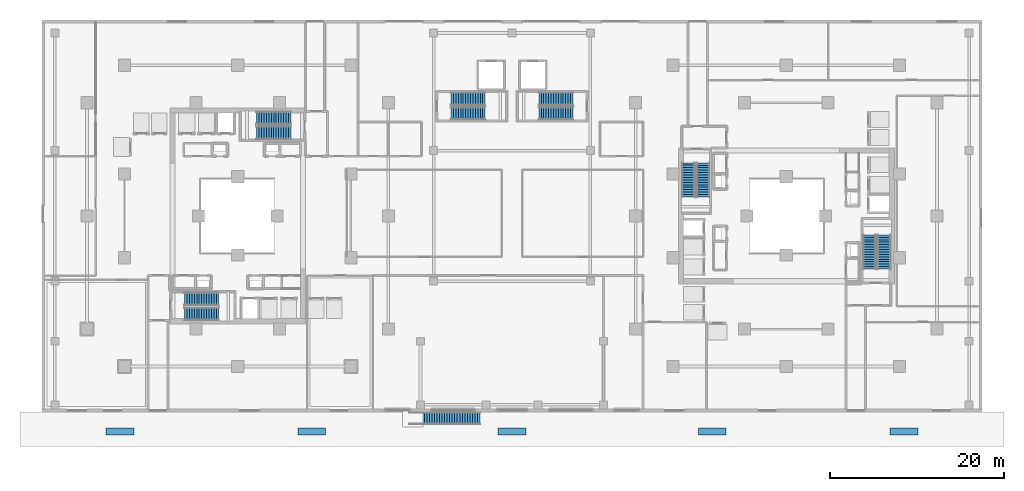
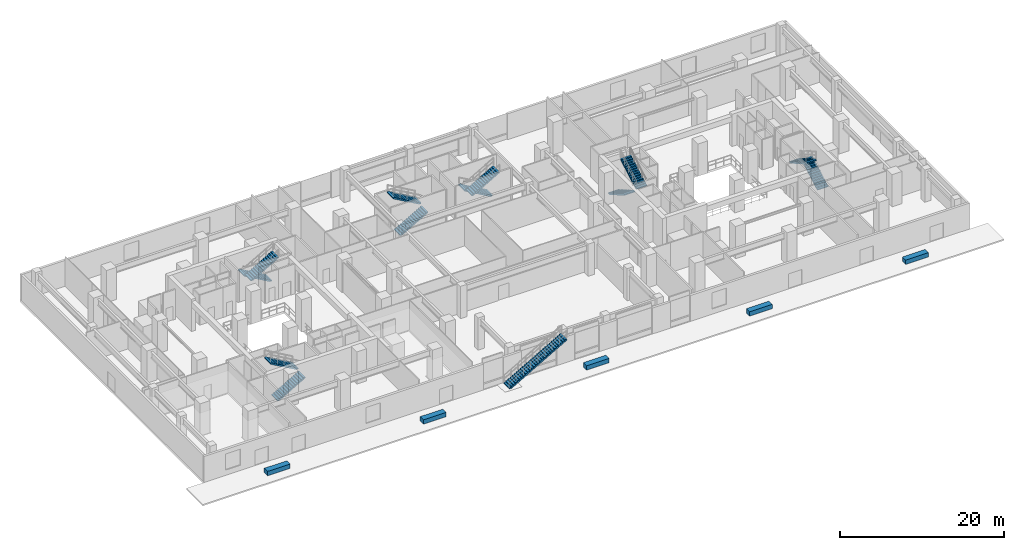
# One storey, part 19 of 24: 13 stair flights, 5 discrete accessories, 7 elements without a shape of their own.
"""IFC4 building model written with IfcOpenShell, lengths in metres."""

from ifc_helpers import new_model, si_unit, direction, frame, origin, origin_2d, place, context, subcontext, project, spatial, polyline, rectangle, outline, extrude, material, type_object, element, aggregate, save


model = new_model("IFC4")

# Units and contexts
model_context = context("Model", 3, precision=1e-05, world=origin(), true_north=direction((0.0, 1.0)))
body_context = subcontext(model_context, "Body", "Model", "MODEL_VIEW")
ifc_project = project(units=[si_unit("LENGTHUNIT", "METRE"), si_unit("AREAUNIT", "SQUARE_METRE"), si_unit("VOLUMEUNIT", "CUBIC_METRE"), si_unit("PLANEANGLEUNIT", "RADIAN"), si_unit("MASSUNIT", "GRAM", prefix="KILO")], contexts=[model_context])

# Site, building, storey
site_placement = place(None, origin())
site = spatial("IfcSite", under=ifc_project, at=site_placement, CompositionType="ELEMENT")
building_placement = place(site_placement, origin())
building = spatial("IfcBuilding", under=site, at=building_placement, Name="Thornwick Lancets Civic Towers", CompositionType="ELEMENT")
storey_placement = place(building_placement, origin())
storey = spatial("IfcBuildingStorey", under=building, at=storey_placement, Name="L00", CompositionType="ELEMENT", Elevation=0.0)

# Stair, stair flights
ifc_material_1 = material(Name="Concrete C40/50", Category="concrete")
stair_type_1 = type_object("IfcStairType", Name="STAIR_DL_4800", PredefinedType="HALF_TURN_STAIR", material=ifc_material_1)
stair_1_placement = place(storey_placement, origin())
stair_1 = element("IfcStair", 1, at=stair_1_placement, inside=storey, type_object=stair_type_1, Name="L00 Tower A South Exit Stair ST-A1", PredefinedType="HALF_TURN_STAIR")
stair_flight_type_1 = type_object("IfcStairFlightType", Name="FLIGHT_4800", PredefinedType="STRAIGHT", material=ifc_material_1)
stair_flight_1_placement = place(storey_placement, frame((19.39990234375, 15.75, 0.0), z_axis=(0.0, 0.0, 1.0), x_axis=(1.0, 0.0, 0.0)))
stair_flight_1 = element("IfcStairFlight", 2, at=stair_flight_1_placement, type_object=stair_flight_type_1, Name="ST-A1 flight 1", NumberOfRisers=15, NumberOfTreads=14, PredefinedType="STRAIGHT", RiserHeight=0.16, TreadLength=0.28, context=body_context, shape_type="SweptSolid", body=[
    extrude(outline(polyline([(0.0, 0.0), (0.0, 0.159912109375), (0.280029296875, 0.159912109375), (0.280029296875, 0.320068359375), (0.56005859375, 0.320068359375), (0.56005859375, 0.47998046875), (0.840087890625, 0.47998046875), (0.840087890625, 0.639892578125), (1.1201171875, 0.639892578125), (1.1201171875, 0.800048828125), (1.39990234375, 0.800048828125), (1.39990234375, 0.9599609375), (1.679931640625, 0.9599609375), (1.679931640625, 1.1201171875), (1.9599609375, 1.1201171875), (1.9599609375, 1.280029296875), (2.239990234375, 1.280029296875), (2.239990234375, 1.43994140625), (2.52001953125, 1.43994140625), (2.52001953125, 1.60009765625), (2.800048828125, 1.60009765625), (2.800048828125, 1.760009765625), (3.080078125, 1.760009765625), (3.080078125, 1.919921875), (3.360107421875, 1.919921875), (3.360107421875, 2.080078125), (3.639892578125, 2.080078125), (3.639892578125, 2.239990234375), (3.919921875, 2.239990234375), (3.919921875, 2.39990234375), (3.919921875, 2.0673828125), (0.30224609375, 0.0), (0.0, 0.0)])), frame((0.0, 0.75, 0.0), z_axis=(0.0, -1.0, 0.0), x_axis=(1.0, 0.0, 0.0)), (0.0, 0.0, 1.0), 1.5),
])
stair_flight_2_placement = place(storey_placement, frame((23.320068359375, 17.449951171875, 2.39990234375), z_axis=(0.0, 0.0, 1.0), x_axis=(-1.0, 0.0, 0.0)))
stair_flight_2 = element("IfcStairFlight", 3, at=stair_flight_2_placement, type_object=stair_flight_type_1, Name="ST-A1 flight 2", NumberOfRisers=15, NumberOfTreads=14, PredefinedType="STRAIGHT", RiserHeight=0.16, TreadLength=0.28, context=body_context, shape_type="SweptSolid", body=[
    extrude(outline(polyline([(0.0, 0.0), (0.0, 0.159912109375), (0.280029296875, 0.159912109375), (0.280029296875, 0.320068359375), (0.56005859375, 0.320068359375), (0.56005859375, 0.47998046875), (0.840087890625, 0.47998046875), (0.840087890625, 0.639892578125), (1.1201171875, 0.639892578125), (1.1201171875, 0.800048828125), (1.39990234375, 0.800048828125), (1.39990234375, 0.9599609375), (1.679931640625, 0.9599609375), (1.679931640625, 1.1201171875), (1.9599609375, 1.1201171875), (1.9599609375, 1.280029296875), (2.239990234375, 1.280029296875), (2.239990234375, 1.43994140625), (2.52001953125, 1.43994140625), (2.52001953125, 1.60009765625), (2.800048828125, 1.60009765625), (2.800048828125, 1.760009765625), (3.080078125, 1.760009765625), (3.080078125, 1.919921875), (3.360107421875, 1.919921875), (3.360107421875, 2.080078125), (3.639892578125, 2.080078125), (3.639892578125, 2.239990234375), (3.919921875, 2.239990234375), (3.919921875, 2.39990234375), (3.919921875, 2.0673828125), (0.30224609375, 0.0), (0.0, 0.0)])), frame((0.0, 0.75, 0.0), z_axis=(0.0, -1.0, 0.0), x_axis=(1.0, 0.0, 0.0)), (0.0, 0.0, 1.0), 1.5),
])
aggregate(stair_1, [stair_flight_1, stair_flight_2])

stair_2_placement = place(storey_placement, origin())
stair_2 = element("IfcStair", 4, at=stair_2_placement, inside=storey, type_object=stair_type_1, Name="L00 Tower A North Exit Stair ST-A2", PredefinedType="HALF_TURN_STAIR")
stair_flight_3_placement = place(storey_placement, frame((31.60009765625, 38.25, 0.0), z_axis=(0.0, 0.0, 1.0), x_axis=(-1.0, 0.0, 0.0)))
stair_flight_3 = element("IfcStairFlight", 5, at=stair_flight_3_placement, type_object=stair_flight_type_1, Name="ST-A2 flight 1", NumberOfRisers=15, NumberOfTreads=14, PredefinedType="STRAIGHT", RiserHeight=0.16, TreadLength=0.28, context=body_context, shape_type="SweptSolid", body=[
    extrude(outline(polyline([(0.0, 0.0), (0.0, 0.159912109375), (0.280029296875, 0.159912109375), (0.280029296875, 0.320068359375), (0.56005859375, 0.320068359375), (0.56005859375, 0.47998046875), (0.840087890625, 0.47998046875), (0.840087890625, 0.639892578125), (1.1201171875, 0.639892578125), (1.1201171875, 0.800048828125), (1.39990234375, 0.800048828125), (1.39990234375, 0.9599609375), (1.679931640625, 0.9599609375), (1.679931640625, 1.1201171875), (1.9599609375, 1.1201171875), (1.9599609375, 1.280029296875), (2.239990234375, 1.280029296875), (2.239990234375, 1.43994140625), (2.52001953125, 1.43994140625), (2.52001953125, 1.60009765625), (2.800048828125, 1.60009765625), (2.800048828125, 1.760009765625), (3.080078125, 1.760009765625), (3.080078125, 1.919921875), (3.360107421875, 1.919921875), (3.360107421875, 2.080078125), (3.639892578125, 2.080078125), (3.639892578125, 2.239990234375), (3.919921875, 2.239990234375), (3.919921875, 2.39990234375), (3.919921875, 2.0673828125), (0.30224609375, 0.0), (0.0, 0.0)])), frame((0.0, 0.75, 0.0), z_axis=(0.0, -1.0, 0.0), x_axis=(1.0, 0.0, 0.0)), (0.0, 0.0, 1.0), 1.5),
])
stair_flight_4_placement = place(storey_placement, frame((27.679931640625, 36.550048828125, 2.39990234375), z_axis=(0.0, 0.0, 1.0), x_axis=(1.0, 0.0, 0.0)))
stair_flight_4 = element("IfcStairFlight", 6, at=stair_flight_4_placement, type_object=stair_flight_type_1, Name="ST-A2 flight 2", NumberOfRisers=15, NumberOfTreads=14, PredefinedType="STRAIGHT", RiserHeight=0.16, TreadLength=0.28, context=body_context, shape_type="SweptSolid", body=[
    extrude(outline(polyline([(0.0, 0.0), (0.0, 0.159912109375), (0.280029296875, 0.159912109375), (0.280029296875, 0.320068359375), (0.56005859375, 0.320068359375), (0.56005859375, 0.47998046875), (0.840087890625, 0.47998046875), (0.840087890625, 0.639892578125), (1.1201171875, 0.639892578125), (1.1201171875, 0.800048828125), (1.39990234375, 0.800048828125), (1.39990234375, 0.9599609375), (1.679931640625, 0.9599609375), (1.679931640625, 1.1201171875), (1.9599609375, 1.1201171875), (1.9599609375, 1.280029296875), (2.239990234375, 1.280029296875), (2.239990234375, 1.43994140625), (2.52001953125, 1.43994140625), (2.52001953125, 1.60009765625), (2.800048828125, 1.60009765625), (2.800048828125, 1.760009765625), (3.080078125, 1.760009765625), (3.080078125, 1.919921875), (3.360107421875, 1.919921875), (3.360107421875, 2.080078125), (3.639892578125, 2.080078125), (3.639892578125, 2.239990234375), (3.919921875, 2.239990234375), (3.919921875, 2.39990234375), (3.919921875, 2.0673828125), (0.30224609375, 0.0), (0.0, 0.0)])), frame((0.0, 0.75, 0.0), z_axis=(0.0, -1.0, 0.0), x_axis=(1.0, 0.0, 0.0)), (0.0, 0.0, 1.0), 1.5),
])
aggregate(stair_2, [stair_flight_3, stair_flight_4])

stair_3_placement = place(storey_placement, origin())
stair_3 = element("IfcStair", 7, at=stair_3_placement, inside=storey, type_object=stair_type_1, Name="L00 Tower B East Exit Stair ST-B1", PredefinedType="HALF_TURN_STAIR")
stair_flight_5_placement = place(storey_placement, frame((99.75, 20.89990234375, 0.0), z_axis=(0.0, 0.0, 1.0), x_axis=(0.0, 1.0, 0.0)))
stair_flight_5 = element("IfcStairFlight", 8, at=stair_flight_5_placement, type_object=stair_flight_type_1, Name="ST-B1 flight 1", NumberOfRisers=15, NumberOfTreads=14, PredefinedType="STRAIGHT", RiserHeight=0.16, TreadLength=0.28, context=body_context, shape_type="SweptSolid", body=[
    extrude(outline(polyline([(0.0, 0.0), (0.0, 0.159912109375), (0.280029296875, 0.159912109375), (0.280029296875, 0.320068359375), (0.56005859375, 0.320068359375), (0.56005859375, 0.47998046875), (0.840087890625, 0.47998046875), (0.840087890625, 0.639892578125), (1.1201171875, 0.639892578125), (1.1201171875, 0.800048828125), (1.39990234375, 0.800048828125), (1.39990234375, 0.9599609375), (1.679931640625, 0.9599609375), (1.679931640625, 1.1201171875), (1.9599609375, 1.1201171875), (1.9599609375, 1.280029296875), (2.239990234375, 1.280029296875), (2.239990234375, 1.43994140625), (2.52001953125, 1.43994140625), (2.52001953125, 1.60009765625), (2.800048828125, 1.60009765625), (2.800048828125, 1.760009765625), (3.080078125, 1.760009765625), (3.080078125, 1.919921875), (3.360107421875, 1.919921875), (3.360107421875, 2.080078125), (3.639892578125, 2.080078125), (3.639892578125, 2.239990234375), (3.919921875, 2.239990234375), (3.919921875, 2.39990234375), (3.919921875, 2.0673828125), (0.30224609375, 0.0), (0.0, 0.0)])), frame((0.0, 0.75, 0.0), z_axis=(0.0, -1.0, 0.0), x_axis=(1.0, 0.0, 0.0)), (0.0, 0.0, 1.0), 1.5),
])
stair_flight_6_placement = place(storey_placement, frame((98.050048828125, 24.820068359375, 2.39990234375), z_axis=(0.0, 0.0, 1.0), x_axis=(0.0, -1.0, 0.0)))
stair_flight_6 = element("IfcStairFlight", 9, at=stair_flight_6_placement, type_object=stair_flight_type_1, Name="ST-B1 flight 2", NumberOfRisers=15, NumberOfTreads=14, PredefinedType="STRAIGHT", RiserHeight=0.16, TreadLength=0.28, context=body_context, shape_type="SweptSolid", body=[
    extrude(outline(polyline([(0.0, 0.0), (0.0, 0.159912109375), (0.280029296875, 0.159912109375), (0.280029296875, 0.320068359375), (0.56005859375, 0.320068359375), (0.56005859375, 0.47998046875), (0.840087890625, 0.47998046875), (0.840087890625, 0.639892578125), (1.1201171875, 0.639892578125), (1.1201171875, 0.800048828125), (1.39990234375, 0.800048828125), (1.39990234375, 0.9599609375), (1.679931640625, 0.9599609375), (1.679931640625, 1.1201171875), (1.9599609375, 1.1201171875), (1.9599609375, 1.280029296875), (2.239990234375, 1.280029296875), (2.239990234375, 1.43994140625), (2.52001953125, 1.43994140625), (2.52001953125, 1.60009765625), (2.800048828125, 1.60009765625), (2.800048828125, 1.760009765625), (3.080078125, 1.760009765625), (3.080078125, 1.919921875), (3.360107421875, 1.919921875), (3.360107421875, 2.080078125), (3.639892578125, 2.080078125), (3.639892578125, 2.239990234375), (3.919921875, 2.239990234375), (3.919921875, 2.39990234375), (3.919921875, 2.0673828125), (0.30224609375, 0.0), (0.0, 0.0)])), frame((0.0, 0.75, 0.0), z_axis=(0.0, -1.0, 0.0), x_axis=(1.0, 0.0, 0.0)), (0.0, 0.0, 1.0), 1.5),
])
aggregate(stair_3, [stair_flight_5, stair_flight_6])

stair_4_placement = place(storey_placement, origin())
stair_4 = element("IfcStair", 10, at=stair_4_placement, inside=storey, type_object=stair_type_1, Name="L00 Tower B West Exit Stair ST-B2", PredefinedType="HALF_TURN_STAIR")
stair_flight_7_placement = place(storey_placement, frame((77.25, 33.10009765625, 0.0), z_axis=(0.0, 0.0, 1.0), x_axis=(0.0, -1.0, 0.0)))
stair_flight_7 = element("IfcStairFlight", 11, at=stair_flight_7_placement, type_object=stair_flight_type_1, Name="ST-B2 flight 1", NumberOfRisers=15, NumberOfTreads=14, PredefinedType="STRAIGHT", RiserHeight=0.16, TreadLength=0.28, context=body_context, shape_type="SweptSolid", body=[
    extrude(outline(polyline([(0.0, 0.0), (0.0, 0.159912109375), (0.280029296875, 0.159912109375), (0.280029296875, 0.320068359375), (0.56005859375, 0.320068359375), (0.56005859375, 0.47998046875), (0.840087890625, 0.47998046875), (0.840087890625, 0.639892578125), (1.1201171875, 0.639892578125), (1.1201171875, 0.800048828125), (1.39990234375, 0.800048828125), (1.39990234375, 0.9599609375), (1.679931640625, 0.9599609375), (1.679931640625, 1.1201171875), (1.9599609375, 1.1201171875), (1.9599609375, 1.280029296875), (2.239990234375, 1.280029296875), (2.239990234375, 1.43994140625), (2.52001953125, 1.43994140625), (2.52001953125, 1.60009765625), (2.800048828125, 1.60009765625), (2.800048828125, 1.760009765625), (3.080078125, 1.760009765625), (3.080078125, 1.919921875), (3.360107421875, 1.919921875), (3.360107421875, 2.080078125), (3.639892578125, 2.080078125), (3.639892578125, 2.239990234375), (3.919921875, 2.239990234375), (3.919921875, 2.39990234375), (3.919921875, 2.0673828125), (0.30224609375, 0.0), (0.0, 0.0)])), frame((0.0, 0.75, 0.0), z_axis=(0.0, -1.0, 0.0), x_axis=(1.0, 0.0, 0.0)), (0.0, 0.0, 1.0), 1.5),
])
stair_flight_8_placement = place(storey_placement, frame((78.949951171875, 29.179931640625, 2.39990234375), z_axis=(0.0, 0.0, 1.0), x_axis=(0.0, 1.0, 0.0)))
stair_flight_8 = element("IfcStairFlight", 12, at=stair_flight_8_placement, type_object=stair_flight_type_1, Name="ST-B2 flight 2", NumberOfRisers=15, NumberOfTreads=14, PredefinedType="STRAIGHT", RiserHeight=0.16, TreadLength=0.28, context=body_context, shape_type="SweptSolid", body=[
    extrude(outline(polyline([(0.0, 0.0), (0.0, 0.159912109375), (0.280029296875, 0.159912109375), (0.280029296875, 0.320068359375), (0.56005859375, 0.320068359375), (0.56005859375, 0.47998046875), (0.840087890625, 0.47998046875), (0.840087890625, 0.639892578125), (1.1201171875, 0.639892578125), (1.1201171875, 0.800048828125), (1.39990234375, 0.800048828125), (1.39990234375, 0.9599609375), (1.679931640625, 0.9599609375), (1.679931640625, 1.1201171875), (1.9599609375, 1.1201171875), (1.9599609375, 1.280029296875), (2.239990234375, 1.280029296875), (2.239990234375, 1.43994140625), (2.52001953125, 1.43994140625), (2.52001953125, 1.60009765625), (2.800048828125, 1.60009765625), (2.800048828125, 1.760009765625), (3.080078125, 1.760009765625), (3.080078125, 1.919921875), (3.360107421875, 1.919921875), (3.360107421875, 2.080078125), (3.639892578125, 2.080078125), (3.639892578125, 2.239990234375), (3.919921875, 2.239990234375), (3.919921875, 2.39990234375), (3.919921875, 2.0673828125), (0.30224609375, 0.0), (0.0, 0.0)])), frame((0.0, 0.75, 0.0), z_axis=(0.0, -1.0, 0.0), x_axis=(1.0, 0.0, 0.0)), (0.0, 0.0, 1.0), 1.5),
])
aggregate(stair_4, [stair_flight_7, stair_flight_8])

stair_5_placement = place(storey_placement, origin())
stair_5 = element("IfcStair", 13, at=stair_5_placement, inside=storey, type_object=stair_type_1, Name="L00 Podium Central West Exit Stair ST-P5", PredefinedType="HALF_TURN_STAIR")
stair_flight_9_placement = place(storey_placement, frame((50.0, 38.75, 0.0), z_axis=(0.0, 0.0, 1.0), x_axis=(1.0, 0.0, 0.0)))
stair_flight_9 = element("IfcStairFlight", 14, at=stair_flight_9_placement, type_object=stair_flight_type_1, Name="ST-P5 flight 1", NumberOfRisers=15, NumberOfTreads=14, PredefinedType="STRAIGHT", RiserHeight=0.16, TreadLength=0.28, context=body_context, shape_type="SweptSolid", body=[
    extrude(outline(polyline([(0.0, 0.0), (0.0, 0.159912109375), (0.280029296875, 0.159912109375), (0.280029296875, 0.320068359375), (0.56005859375, 0.320068359375), (0.56005859375, 0.47998046875), (0.840087890625, 0.47998046875), (0.840087890625, 0.639892578125), (1.1201171875, 0.639892578125), (1.1201171875, 0.800048828125), (1.39990234375, 0.800048828125), (1.39990234375, 0.9599609375), (1.679931640625, 0.9599609375), (1.679931640625, 1.1201171875), (1.9599609375, 1.1201171875), (1.9599609375, 1.280029296875), (2.239990234375, 1.280029296875), (2.239990234375, 1.43994140625), (2.52001953125, 1.43994140625), (2.52001953125, 1.60009765625), (2.800048828125, 1.60009765625), (2.800048828125, 1.760009765625), (3.080078125, 1.760009765625), (3.080078125, 1.919921875), (3.360107421875, 1.919921875), (3.360107421875, 2.080078125), (3.639892578125, 2.080078125), (3.639892578125, 2.239990234375), (3.919921875, 2.239990234375), (3.919921875, 2.39990234375), (3.919921875, 2.0673828125), (0.30224609375, 0.0), (0.0, 0.0)])), frame((0.0, 0.75, 0.0), z_axis=(0.0, -1.0, 0.0), x_axis=(1.0, 0.0, 0.0)), (0.0, 0.0, 1.0), 1.5),
])
stair_flight_10_placement = place(storey_placement, frame((53.919921875, 40.449951171875, 2.39990234375), z_axis=(0.0, 0.0, 1.0), x_axis=(-1.0, 0.0, 0.0)))
stair_flight_10 = element("IfcStairFlight", 15, at=stair_flight_10_placement, type_object=stair_flight_type_1, Name="ST-P5 flight 2", NumberOfRisers=15, NumberOfTreads=14, PredefinedType="STRAIGHT", RiserHeight=0.16, TreadLength=0.28, context=body_context, shape_type="SweptSolid", body=[
    extrude(outline(polyline([(0.0, 0.0), (0.0, 0.159912109375), (0.280029296875, 0.159912109375), (0.280029296875, 0.320068359375), (0.56005859375, 0.320068359375), (0.56005859375, 0.47998046875), (0.840087890625, 0.47998046875), (0.840087890625, 0.639892578125), (1.1201171875, 0.639892578125), (1.1201171875, 0.800048828125), (1.39990234375, 0.800048828125), (1.39990234375, 0.9599609375), (1.679931640625, 0.9599609375), (1.679931640625, 1.1201171875), (1.9599609375, 1.1201171875), (1.9599609375, 1.280029296875), (2.239990234375, 1.280029296875), (2.239990234375, 1.43994140625), (2.52001953125, 1.43994140625), (2.52001953125, 1.60009765625), (2.800048828125, 1.60009765625), (2.800048828125, 1.760009765625), (3.080078125, 1.760009765625), (3.080078125, 1.919921875), (3.360107421875, 1.919921875), (3.360107421875, 2.080078125), (3.639892578125, 2.080078125), (3.639892578125, 2.239990234375), (3.919921875, 2.239990234375), (3.919921875, 2.39990234375), (3.919921875, 2.0673828125), (0.30224609375, 0.0), (0.0, 0.0)])), frame((0.0, 0.75, 0.0), z_axis=(0.0, -1.0, 0.0), x_axis=(1.0, 0.0, 0.0)), (0.0, 0.0, 1.0), 1.5),
])
aggregate(stair_5, [stair_flight_9, stair_flight_10])

stair_6_placement = place(storey_placement, origin())
stair_6 = element("IfcStair", 16, at=stair_6_placement, inside=storey, type_object=stair_type_1, Name="L00 Podium Central East Exit Stair ST-P6", PredefinedType="HALF_TURN_STAIR")
stair_flight_11_placement = place(storey_placement, frame((64.0, 40.449951171875, 0.0), z_axis=(0.0, 0.0, 1.0), x_axis=(-1.0, 0.0, 0.0)))
stair_flight_11 = element("IfcStairFlight", 17, at=stair_flight_11_placement, type_object=stair_flight_type_1, Name="ST-P6 flight 1", NumberOfRisers=15, NumberOfTreads=14, PredefinedType="STRAIGHT", RiserHeight=0.16, TreadLength=0.28, context=body_context, shape_type="SweptSolid", body=[
    extrude(outline(polyline([(0.0, 0.0), (0.0, 0.159912109375), (0.280029296875, 0.159912109375), (0.280029296875, 0.320068359375), (0.56005859375, 0.320068359375), (0.56005859375, 0.47998046875), (0.840087890625, 0.47998046875), (0.840087890625, 0.639892578125), (1.1201171875, 0.639892578125), (1.1201171875, 0.800048828125), (1.39990234375, 0.800048828125), (1.39990234375, 0.9599609375), (1.679931640625, 0.9599609375), (1.679931640625, 1.1201171875), (1.9599609375, 1.1201171875), (1.9599609375, 1.280029296875), (2.239990234375, 1.280029296875), (2.239990234375, 1.43994140625), (2.52001953125, 1.43994140625), (2.52001953125, 1.60009765625), (2.800048828125, 1.60009765625), (2.800048828125, 1.760009765625), (3.080078125, 1.760009765625), (3.080078125, 1.919921875), (3.360107421875, 1.919921875), (3.360107421875, 2.080078125), (3.639892578125, 2.080078125), (3.639892578125, 2.239990234375), (3.919921875, 2.239990234375), (3.919921875, 2.39990234375), (3.919921875, 2.0673828125), (0.30224609375, 0.0), (0.0, 0.0)])), frame((0.0, 0.75, 0.0), z_axis=(0.0, -1.0, 0.0), x_axis=(1.0, 0.0, 0.0)), (0.0, 0.0, 1.0), 1.5),
])
stair_flight_12_placement = place(storey_placement, frame((60.080078125, 38.75, 2.39990234375), z_axis=(0.0, 0.0, 1.0), x_axis=(1.0, 0.0, 0.0)))
stair_flight_12 = element("IfcStairFlight", 18, at=stair_flight_12_placement, type_object=stair_flight_type_1, Name="ST-P6 flight 2", NumberOfRisers=15, NumberOfTreads=14, PredefinedType="STRAIGHT", RiserHeight=0.16, TreadLength=0.28, context=body_context, shape_type="SweptSolid", body=[
    extrude(outline(polyline([(0.0, 0.0), (0.0, 0.159912109375), (0.280029296875, 0.159912109375), (0.280029296875, 0.320068359375), (0.56005859375, 0.320068359375), (0.56005859375, 0.47998046875), (0.840087890625, 0.47998046875), (0.840087890625, 0.639892578125), (1.1201171875, 0.639892578125), (1.1201171875, 0.800048828125), (1.39990234375, 0.800048828125), (1.39990234375, 0.9599609375), (1.679931640625, 0.9599609375), (1.679931640625, 1.1201171875), (1.9599609375, 1.1201171875), (1.9599609375, 1.280029296875), (2.239990234375, 1.280029296875), (2.239990234375, 1.43994140625), (2.52001953125, 1.43994140625), (2.52001953125, 1.60009765625), (2.800048828125, 1.60009765625), (2.800048828125, 1.760009765625), (3.080078125, 1.760009765625), (3.080078125, 1.919921875), (3.360107421875, 1.919921875), (3.360107421875, 2.080078125), (3.639892578125, 2.080078125), (3.639892578125, 2.239990234375), (3.919921875, 2.239990234375), (3.919921875, 2.39990234375), (3.919921875, 2.0673828125), (0.30224609375, 0.0), (0.0, 0.0)])), frame((0.0, 0.75, 0.0), z_axis=(0.0, -1.0, 0.0), x_axis=(1.0, 0.0, 0.0)), (0.0, 0.0, 1.0), 1.5),
])
aggregate(stair_6, [stair_flight_11, stair_flight_12])

# Stair, stair flight
ifc_material_2 = material(Name="Granite-faced concrete C40/50", Category="masonry")
stair_type_2 = type_object("IfcStairType", Name="STAIR_CASCADE", PredefinedType="STRAIGHT_RUN_STAIR", material=ifc_material_2)
stair_7_placement = place(storey_placement, origin())
stair_7 = element("IfcStair", 19, at=stair_7_placement, inside=storey, type_object=stair_type_2, Name="L00 Cascading Garden Stair 1", PredefinedType="STRAIGHT_RUN_STAIR")
stair_flight_type_2 = type_object("IfcStairFlightType", Name="FLIGHT_CASCADE", PredefinedType="STRAIGHT", material=ifc_material_2)
stair_flight_13_placement = place(storey_placement, frame((45.199951171875, 3.760009765625, 0.0), z_axis=(0.0, 0.0, 1.0), x_axis=(1.0, 0.0, 0.0)))
stair_flight_13 = element("IfcStairFlight", 20, at=stair_flight_13_placement, type_object=stair_flight_type_2, Name="STC-1 flight 1", NumberOfRisers=29, NumberOfTreads=28, PredefinedType="STRAIGHT", RiserHeight=0.165517, TreadLength=0.29, context=body_context, shape_type="SweptSolid", body=[
    extrude(outline(polyline([(0.0, 0.0), (0.0, 0.16552734375), (0.2900390625, 0.16552734375), (0.2900390625, 0.3310546875), (0.580078125, 0.3310546875), (0.580078125, 0.49658203125), (0.8701171875, 0.49658203125), (0.8701171875, 0.662109375), (1.159912109375, 0.662109375), (1.159912109375, 0.82763671875), (1.449951171875, 0.82763671875), (1.449951171875, 0.9931640625), (1.739990234375, 0.9931640625), (1.739990234375, 1.15869140625), (2.030029296875, 1.15869140625), (2.030029296875, 1.32421875), (2.320068359375, 1.32421875), (2.320068359375, 1.48974609375), (2.610107421875, 1.48974609375), (2.610107421875, 1.6552734375), (2.89990234375, 1.6552734375), (2.89990234375, 1.82080078125), (3.18994140625, 1.82080078125), (3.18994140625, 1.986083984375), (3.47998046875, 1.986083984375), (3.47998046875, 2.151611328125), (3.77001953125, 2.151611328125), (3.77001953125, 2.317138671875), (4.06005859375, 2.317138671875), (4.06005859375, 2.482666015625), (4.35009765625, 2.482666015625), (4.35009765625, 2.648193359375), (4.639892578125, 2.648193359375), (4.639892578125, 2.813720703125), (4.929931640625, 2.813720703125), (4.929931640625, 2.979248046875), (5.219970703125, 2.979248046875), (5.219970703125, 3.144775390625), (5.510009765625, 3.144775390625), (5.510009765625, 3.310302734375), (5.800048828125, 3.310302734375), (5.800048828125, 3.475830078125), (6.090087890625, 3.475830078125), (6.090087890625, 3.641357421875), (6.3798828125, 3.641357421875), (6.3798828125, 3.806884765625), (6.669921875, 3.806884765625), (6.669921875, 3.972412109375), (6.9599609375, 3.972412109375), (6.9599609375, 4.137939453125), (7.25, 4.137939453125), (7.25, 4.303466796875), (7.5400390625, 4.303466796875), (7.5400390625, 4.468994140625), (7.830078125, 4.468994140625), (7.830078125, 4.634521484375), (8.1201171875, 4.634521484375), (8.1201171875, 4.800048828125), (8.1201171875, 4.42724609375), (0.363037109375, 0.0), (0.0, 0.0)])), frame((0.0, 0.68994140625, 0.0), z_axis=(0.0, -1.0, 0.0), x_axis=(1.0, 0.0, 0.0)), (0.0, 0.0, 1.0), 1.3798828125),
])
aggregate(stair_7, [stair_flight_13])

# Discrete accessories
ifc_material_3 = material(Name="Planted terracotta greenery planter", Category="masonry")
discrete_accessory_type = type_object("IfcDiscreteAccessoryType", Name="ACC_PLANTER_BOX", PredefinedType="USERDEFINED", material=ifc_material_3)
for number, where, z_axis, x_axis, name in (
    (21, (12.0, 2.25, 0.0), (0.0, 0.0, 1.0), (1.0, 0.0, 0.0), "L00 Public Garden Plaza Planter 1"),
    (22, (34.0, 2.25, 0.0), (0.0, 0.0, 1.0), (1.0, 0.0, 0.0), "L00 Public Garden Plaza Planter 2"),
    (23, (57.0, 2.25, 0.0), (0.0, 0.0, 1.0), (1.0, 0.0, 0.0), "L00 Public Garden Plaza Planter 3"),
    (24, (80.0, 2.25, 0.0), (0.0, 0.0, 1.0), (1.0, 0.0, 0.0), "L00 Public Garden Plaza Planter 4"),
    (25, (102.0, 2.25, 0.0), (0.0, 0.0, 1.0), (1.0, 0.0, 0.0), "L00 Public Garden Plaza Planter 5"),
):
    element("IfcDiscreteAccessory", number, at=place(storey_placement, frame(where, z_axis=z_axis, x_axis=x_axis)), inside=storey, type_object=discrete_accessory_type, Name=name, ObjectType="PLANTER", PredefinedType="USERDEFINED", context=body_context, shape_type="SweptSolid", body=[
        extrude(rectangle(XDim=3.199951171875, YDim=0.800048828125, at=origin_2d()), origin(), (0.0, 0.0, 1.0), 0.64990234375),
    ])

save(model, "model.ifc")
